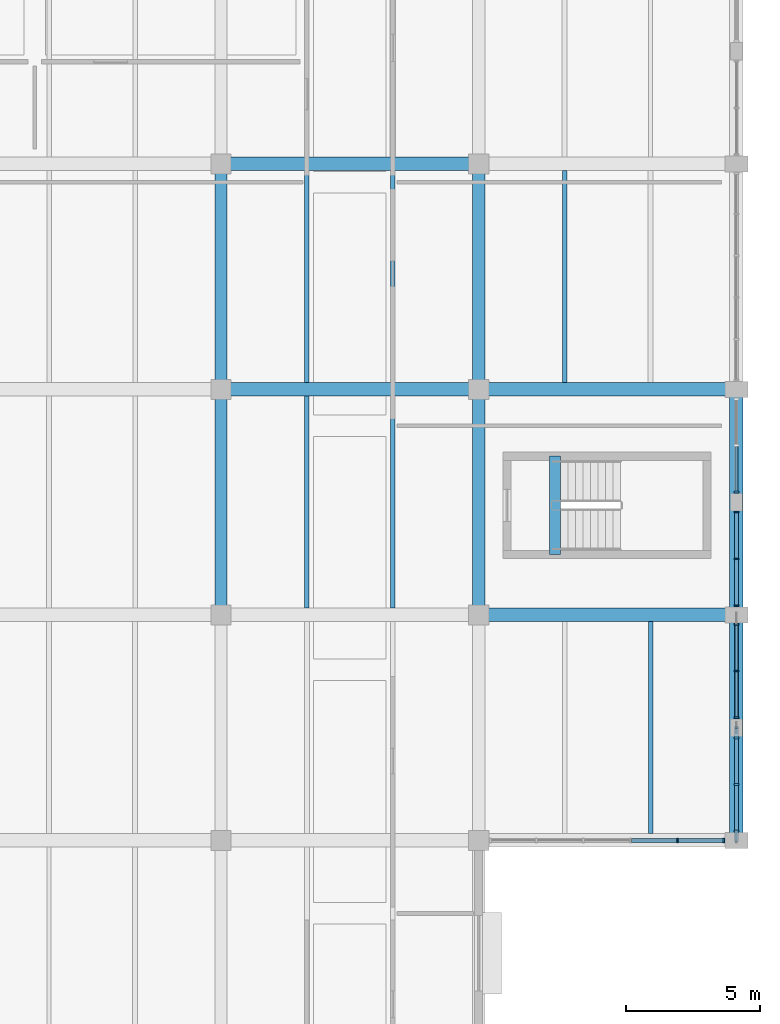
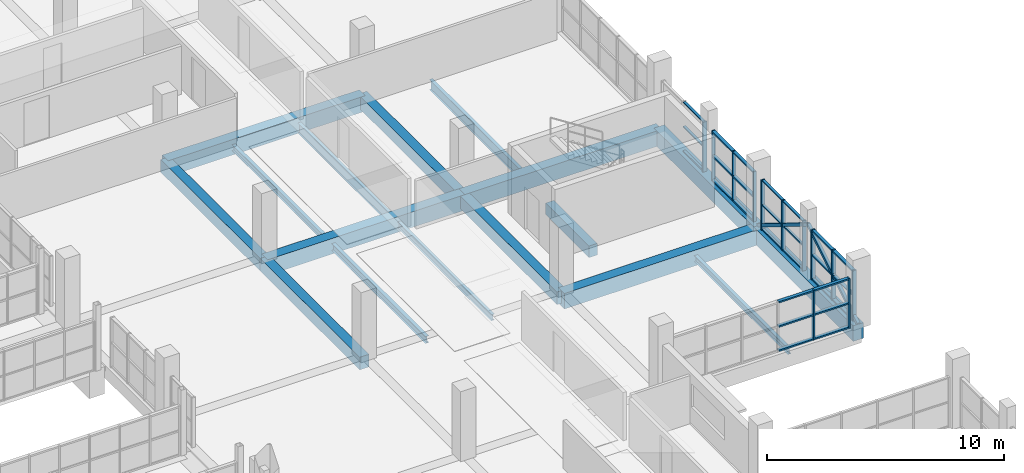
# One storey, part 70 of 147: 41 members, 17 beams, 5 elements without a shape of their own.
"""IFC4 building model written with IfcOpenShell, lengths in metres."""

from ifc_helpers import new_model, si_unit, direction, frame, origin, origin_2d, place, context, subcontext, project, spatial, rectangle, hollow_rectangle, i_section, extrude, material, material_profile, profile_set, type_object, element, aggregate, save


model = new_model("IFC4")

# Units and contexts
model_context = context("Model", 3, precision=1e-05, world=origin(), true_north=direction((0.0, 1.0)))
body_context = subcontext(model_context, "Body", "Model", "MODEL_VIEW")
ifc_project = project(units=[si_unit("LENGTHUNIT", "METRE"), si_unit("AREAUNIT", "SQUARE_METRE"), si_unit("VOLUMEUNIT", "CUBIC_METRE"), si_unit("PLANEANGLEUNIT", "RADIAN"), si_unit("MASSUNIT", "GRAM", prefix="KILO")], contexts=[model_context])

# Site, building, storey
site_placement = place(None, origin())
site = spatial("IfcSite", under=ifc_project, at=site_placement, CompositionType="ELEMENT")
building_placement = place(site_placement, origin())
building = spatial("IfcBuilding", under=site, at=building_placement, Name="Oolite Switchyard Hospital", CompositionType="ELEMENT")
storey_placement = place(building_placement, frame((0.0, 0.0, 9.89990234375)))
storey = spatial("IfcBuildingStorey", under=building, at=storey_placement, Name="L02", CompositionType="ELEMENT", Elevation=9.89990234375)

# Beams
ifc_material_1 = material(Name="Concrete C40/50", Category="concrete")
ifc_material_profile_1 = material_profile(ifc_material_1, rectangle(XDim=0.39990234375, YDim=0.60009765625, at=origin_2d()), Name="RCB400X600")
ifc_profile_set_1 = profile_set([ifc_material_profile_1], Name="Concrete C40/50")
beam_type_1 = type_object("IfcBeamType", Name="BM-RC400X600", PredefinedType="BEAM", material=ifc_profile_set_1)
beam_1_placement = place(storey_placement, frame((204.43994140625, 44.25, -0.2998046875), z_axis=(0.0, 1.0, 0.0), x_axis=(-1.0, 0.0, 0.0)))
element("IfcBeam", 1, at=beam_1_placement, inside=storey, type_object=beam_type_1, Name="L02 ST-06 Stair Throat Trimmer Beam", PredefinedType="BEAM", context=body_context, shape_type="SweptSolid", body=[
    extrude(rectangle(XDim=0.39990234375, YDim=0.60009765625, at=origin_2d()), origin(), (0.0, 0.0, 1.0), 3.659912109375),
])
ifc_material_profile_2 = material_profile(ifc_material_1, rectangle(XDim=0.449951171875, YDim=0.64990234375, at=origin_2d()), Name="RCB450X650")
ifc_profile_set_2 = profile_set([ifc_material_profile_2], Name="Concrete C40/50")
beam_type_2 = type_object("IfcBeamType", Name="BM-RC450X650", PredefinedType="BEAM", material=ifc_profile_set_2)
beam_2_placement = place(storey_placement, frame((192.0, 42.0, -0.324951171875), z_axis=(0.0, 1.0, 0.0), x_axis=(-1.0, 0.0, 0.0)))
element("IfcBeam", 2, at=beam_2_placement, inside=storey, type_object=beam_type_2, Name="L02 Y-Girder 1483", PredefinedType="BEAM", context=body_context, shape_type="SweptSolid", body=[
    extrude(rectangle(XDim=0.449951171875, YDim=0.64990234375, at=origin_2d()), origin(), (0.0, 0.0, 1.0), 8.39990234375),
])
beam_3_placement = place(storey_placement, frame((192.0, 50.39990234375, -0.324951171875), z_axis=(0.0, 1.0, 0.0), x_axis=(-1.0, 0.0, 0.0)))
element("IfcBeam", 3, at=beam_3_placement, inside=storey, type_object=beam_type_2, Name="L02 Y-Girder 1484", PredefinedType="BEAM", context=body_context, shape_type="SweptSolid", body=[
    extrude(rectangle(XDim=0.449951171875, YDim=0.64990234375, at=origin_2d()), origin(), (0.0, 0.0, 1.0), 8.400146484375),
])
beam_4_placement = place(storey_placement, frame((201.60009765625, 42.0, -0.324951171875), z_axis=(0.0, 1.0, 0.0), x_axis=(-1.0, 0.0, 0.0)))
element("IfcBeam", 4, at=beam_4_placement, inside=storey, type_object=beam_type_2, Name="L02 Y-Girder 1495", PredefinedType="BEAM", context=body_context, shape_type="SweptSolid", body=[
    extrude(rectangle(XDim=0.449951171875, YDim=0.64990234375, at=origin_2d()), origin(), (0.0, 0.0, 1.0), 8.39990234375),
])
beam_5_placement = place(storey_placement, frame((201.60009765625, 50.39990234375, -0.324951171875), z_axis=(0.0, 1.0, 0.0), x_axis=(-1.0, 0.0, 0.0)))
element("IfcBeam", 5, at=beam_5_placement, inside=storey, type_object=beam_type_2, Name="L02 Y-Girder 1496", PredefinedType="BEAM", context=body_context, shape_type="SweptSolid", body=[
    extrude(rectangle(XDim=0.449951171875, YDim=0.64990234375, at=origin_2d()), origin(), (0.0, 0.0, 1.0), 8.400146484375),
])
ifc_material_profile_3 = material_profile(ifc_material_1, rectangle(XDim=0.5, YDim=0.800048828125, at=origin_2d()), Name="RCB500X800")
ifc_profile_set_3 = profile_set([ifc_material_profile_3], Name="Concrete C40/50")
beam_type_3 = type_object("IfcBeamType", Name="BM-RC500X800", PredefinedType="BEAM", material=ifc_profile_set_3)
beam_6_placement = place(storey_placement, frame((201.60009765625, 42.0, -0.39990234375), z_axis=(1.0, 0.0, 0.0), x_axis=(0.0, 1.0, 0.0)))
element("IfcBeam", 6, at=beam_6_placement, inside=storey, type_object=beam_type_3, Name="L02 X-Girder 1061", PredefinedType="BEAM", context=body_context, shape_type="SweptSolid", body=[
    extrude(rectangle(XDim=0.5, YDim=0.800048828125, at=origin_2d()), origin(), (0.0, 0.0, 1.0), 9.599853515625),
])
beam_7_placement = place(storey_placement, frame((192.0, 50.39990234375, -0.39990234375), z_axis=(1.0, 0.0, 0.0), x_axis=(0.0, 1.0, 0.0)))
element("IfcBeam", 7, at=beam_7_placement, inside=storey, type_object=beam_type_3, Name="L02 X-Girder 1076", PredefinedType="BEAM", context=body_context, shape_type="SweptSolid", body=[
    extrude(rectangle(XDim=0.5, YDim=0.800048828125, at=origin_2d()), origin(), (0.0, 0.0, 1.0), 9.60009765625),
])
beam_8_placement = place(storey_placement, frame((201.60009765625, 50.39990234375, -0.39990234375), z_axis=(1.0, 0.0, 0.0), x_axis=(0.0, 1.0, 0.0)))
element("IfcBeam", 8, at=beam_8_placement, inside=storey, type_object=beam_type_3, Name="L02 X-Girder 1077", PredefinedType="BEAM", context=body_context, shape_type="SweptSolid", body=[
    extrude(rectangle(XDim=0.5, YDim=0.800048828125, at=origin_2d()), origin(), (0.0, 0.0, 1.0), 9.599853515625),
])
beam_9_placement = place(storey_placement, frame((192.0, 58.800048828125, -0.39990234375), z_axis=(1.0, 0.0, 0.0), x_axis=(0.0, 1.0, 0.0)))
element("IfcBeam", 9, at=beam_9_placement, inside=storey, type_object=beam_type_3, Name="L02 X-Girder 1092", PredefinedType="BEAM", context=body_context, shape_type="SweptSolid", body=[
    extrude(rectangle(XDim=0.5, YDim=0.800048828125, at=origin_2d()), origin(), (0.0, 0.0, 1.0), 9.60009765625),
])
for number, where, z_axis, x_axis, name in (
    (10, (211.199951171875, 33.60009765625, -0.39990234375), (0.0, 1.0, 0.0), (-1.0, 0.0, 0.0), "L02 Y-Girder 1504"),
    (11, (211.199951171875, 42.0, -0.39990234375), (0.0, 1.0, 0.0), (-1.0, 0.0, 0.0), "L02 Y-Girder 1505"),
):
    element("IfcBeam", number, at=place(storey_placement, frame(where, z_axis=z_axis, x_axis=x_axis)), inside=storey, type_object=beam_type_3, Name=name, PredefinedType="BEAM", context=body_context, shape_type="SweptSolid", body=[
        extrude(rectangle(XDim=0.5, YDim=0.800048828125, at=origin_2d()), origin(), (0.0, 0.0, 1.0), 8.39990234375),
    ])
ifc_material_2 = material(Name="Steel ASTM A992 Grade 50", Category="steel")
ifc_material_profile_4 = material_profile(ifc_material_2, i_section(OverallWidth=0.1650390625, OverallDepth=0.31005859375, WebThickness=0.006103515625, FlangeThickness=0.010009765625, at=origin_2d()), Name="W12X26")
ifc_profile_set_4 = profile_set([ifc_material_profile_4], Name="Steel ASTM A992 Grade 50")
beam_type_4 = type_object("IfcBeamType", Name="BM-W12X26", PredefinedType="JOIST", material=ifc_profile_set_4)
beam_10_placement = place(storey_placement, frame((198.39990234375, 42.25, -0.414794921875), z_axis=(0.0, 1.0, 0.0), x_axis=(-1.0, 0.0, 0.0)))
element("IfcBeam", 12, at=beam_10_placement, inside=storey, type_object=beam_type_4, Name="L02 Secondary Steel Joist 1897", PredefinedType="JOIST", context=body_context, shape_type="SweptSolid", body=[
    extrude(i_section(OverallWidth=0.1650390625, OverallDepth=0.31005859375, WebThickness=0.006103515625, FlangeThickness=0.010009765625, at=origin_2d()), origin(), (0.0, 0.0, 1.0), 7.89990234375),
])
beam_11_placement = place(storey_placement, frame((195.199951171875, 50.64990234375, -0.414794921875), z_axis=(0.0, 1.0, 0.0), x_axis=(-1.0, 0.0, 0.0)))
element("IfcBeam", 13, at=beam_11_placement, inside=storey, type_object=beam_type_4, Name="L02 Secondary Steel Joist 1898", PredefinedType="JOIST", context=body_context, shape_type="SweptSolid", body=[
    extrude(i_section(OverallWidth=0.1650390625, OverallDepth=0.31005859375, WebThickness=0.006103515625, FlangeThickness=0.010009765625, at=origin_2d()), origin(), (0.0, 0.0, 1.0), 7.900146484375),
])
beam_12_placement = place(storey_placement, frame((208.0, 33.85009765625, -0.414794921875), z_axis=(0.0, 1.0, 0.0), x_axis=(-1.0, 0.0, 0.0)))
element("IfcBeam", 14, at=beam_12_placement, inside=storey, type_object=beam_type_4, Name="L02 Secondary Steel Joist 1913", PredefinedType="JOIST", context=body_context, shape_type="SweptSolid", body=[
    extrude(i_section(OverallWidth=0.1650390625, OverallDepth=0.31005859375, WebThickness=0.006103515625, FlangeThickness=0.010009765625, at=origin_2d()), origin(), (0.0, 0.0, 1.0), 7.89990234375),
])
ifc_material_profile_5 = material_profile(ifc_material_2, i_section(OverallWidth=0.1708984375, OverallDepth=0.35107421875, WebThickness=0.007080078125, FlangeThickness=0.010009765625, at=origin_2d()), Name="W14X30")
ifc_profile_set_5 = profile_set([ifc_material_profile_5], Name="Steel ASTM A992 Grade 50")
beam_type_5 = type_object("IfcBeamType", Name="BM-W14X30", PredefinedType="JOIST", material=ifc_profile_set_5)
beam_13_placement = place(storey_placement, frame((195.199951171875, 42.25, -0.434814453125), z_axis=(0.0, 1.0, 0.0), x_axis=(-1.0, 0.0, 0.0)))
element("IfcBeam", 15, at=beam_13_placement, inside=storey, type_object=beam_type_5, Name="L02 Secondary Steel Joist 1896", PredefinedType="JOIST", context=body_context, shape_type="SweptSolid", body=[
    extrude(i_section(OverallWidth=0.1708984375, OverallDepth=0.35107421875, WebThickness=0.007080078125, FlangeThickness=0.010009765625, at=origin_2d()), origin(), (0.0, 0.0, 1.0), 7.89990234375),
])
ifc_material_profile_6 = material_profile(ifc_material_2, i_section(OverallWidth=0.166015625, OverallDepth=0.529052734375, WebThickness=0.010009765625, FlangeThickness=0.013916015625, at=origin_2d()), Name="W21X50")
ifc_profile_set_6 = profile_set([ifc_material_profile_6], Name="Steel ASTM A992 Grade 50")
beam_type_6 = type_object("IfcBeamType", Name="BM-W21X50", PredefinedType="JOIST", material=ifc_profile_set_6)
for number, where, z_axis, x_axis, name in (
    (16, (198.39990234375, 50.64990234375, -0.52392578125), (0.0, 1.0, 0.0), (-1.0, 0.0, 0.0), "L02 Secondary Steel Joist 1899"),
    (17, (204.800048828125, 50.64990234375, -0.52392578125), (0.0, 1.0, 0.0), (-1.0, 0.0, 0.0), "L02 Secondary Steel Joist 1914"),
):
    element("IfcBeam", number, at=place(storey_placement, frame(where, z_axis=z_axis, x_axis=x_axis)), inside=storey, type_object=beam_type_6, Name=name, PredefinedType="JOIST", context=body_context, shape_type="SweptSolid", body=[
        extrude(i_section(OverallWidth=0.166015625, OverallDepth=0.529052734375, WebThickness=0.010009765625, FlangeThickness=0.013916015625, at=origin_2d()), origin(), (0.0, 0.0, 1.0), 7.900146484375),
    ])

# Curtain wall, members
ifc_material_3 = material(Name="Thermally broken aluminum frame with laminated impact glazing", Category="aluminium")
curtain_wall_type_1 = type_object("IfcCurtainWallType", Name="CW-UNIT-84X36", PredefinedType="USERDEFINED", material=ifc_material_3)
curtain_wall_1_placement = place(storey_placement, origin())
curtain_wall_1 = element("IfcCurtainWall", 18, at=curtain_wall_1_placement, inside=storey, type_object=curtain_wall_type_1, Name="L02 Unitised Curtain Wall 319", ObjectType="UNITISED", PredefinedType="USERDEFINED")
ifc_material_4 = material(Name="Aluminium 6063-T6", Category="aluminium")
ifc_material_profile_7 = material_profile(ifc_material_4, rectangle(XDim=0.159912109375, YDim=0.06005859375, at=origin_2d()), Name="CWM60X160")
ifc_profile_set_7 = profile_set([ifc_material_profile_7], Name="Aluminium 6063-T6")
member_type_1 = type_object("IfcMemberType", Name="CW-MUL-180", PredefinedType="MULLION", material=ifc_profile_set_7)
member_1_placement = place(storey_placement, frame((211.199951171875, 45.830078125, 0.0), z_axis=(0.0, 0.0, 1.0), x_axis=(1.0, 0.0, 0.0)))
member_1 = element("IfcMember", 19, at=member_1_placement, type_object=member_type_1, Name="CW-08 mullion 1", PredefinedType="MULLION", context=body_context, shape_type="SweptSolid", body=[
    extrude(rectangle(XDim=0.159912109375, YDim=0.06005859375, at=origin_2d()), origin(), (0.0, 0.0, 1.0), 2.570068359375),
])
member_2_placement = place(storey_placement, frame((211.199951171875, 44.08740234375, 0.0), z_axis=(0.0, 0.0, 1.0), x_axis=(1.0, 0.0, 0.0)))
member_2 = element("IfcMember", 20, at=member_2_placement, type_object=member_type_1, Name="CW-08 mullion 2", PredefinedType="MULLION", context=body_context, shape_type="SweptSolid", body=[
    extrude(rectangle(XDim=0.159912109375, YDim=0.06005859375, at=origin_2d()), origin(), (0.0, 0.0, 1.0), 2.570068359375),
])
member_3_placement = place(storey_placement, frame((211.199951171875, 42.344970703125, 0.0), z_axis=(0.0, 0.0, 1.0), x_axis=(1.0, 0.0, 0.0)))
member_3 = element("IfcMember", 21, at=member_3_placement, type_object=member_type_1, Name="CW-08 mullion 3", PredefinedType="MULLION", context=body_context, shape_type="SweptSolid", body=[
    extrude(rectangle(XDim=0.159912109375, YDim=0.06005859375, at=origin_2d()), origin(), (0.0, 0.0, 1.0), 2.570068359375),
])

curtain_wall_type_2 = type_object("IfcCurtainWallType", Name="CW-UNIT-96X36", PredefinedType="USERDEFINED", material=ifc_material_3)
curtain_wall_2_placement = place(storey_placement, origin())
curtain_wall_2 = element("IfcCurtainWall", 22, at=curtain_wall_2_placement, inside=storey, type_object=curtain_wall_type_2, Name="L02 Unitised Curtain Wall 227", ObjectType="UNITISED", PredefinedType="USERDEFINED")
ifc_material_profile_8 = material_profile(ifc_material_4, rectangle(XDim=0.179931640625, YDim=0.070068359375, at=origin_2d()), Name="CWM70X180")
ifc_profile_set_8 = profile_set([ifc_material_profile_8], Name="Aluminium 6063-T6")
member_type_2 = type_object("IfcMemberType", Name="CW-MUL-220", PredefinedType="MULLION", material=ifc_profile_set_8)
member_4_placement = place(storey_placement, frame((210.72509765625, 33.60009765625, 0.0), z_axis=(0.0, 0.0, 1.0), x_axis=(0.0, -1.0, 0.0)))
member_4 = element("IfcMember", 23, at=member_4_placement, type_object=member_type_2, Name="CW-03 mullion 1", PredefinedType="MULLION", context=body_context, shape_type="SweptSolid", body=[
    extrude(rectangle(XDim=0.179931640625, YDim=0.070068359375, at=origin_2d()), origin(), (0.0, 0.0, 1.0), 2.570068359375),
])
member_5_placement = place(storey_placement, frame((209.006103515625, 33.60009765625, 0.0), z_axis=(0.0, 0.0, 1.0), x_axis=(0.0, -1.0, 0.0)))
member_5 = element("IfcMember", 24, at=member_5_placement, type_object=member_type_2, Name="CW-03 mullion 2", PredefinedType="MULLION", context=body_context, shape_type="SweptSolid", body=[
    extrude(rectangle(XDim=0.179931640625, YDim=0.070068359375, at=origin_2d()), origin(), (0.0, 0.0, 1.0), 2.570068359375),
])

curtain_wall_3_placement = place(storey_placement, origin())
curtain_wall_3 = element("IfcCurtainWall", 25, at=curtain_wall_3_placement, inside=storey, type_object=curtain_wall_type_1, Name="L02 Unitised Curtain Wall 320", ObjectType="UNITISED", PredefinedType="USERDEFINED")
member_6_placement = place(storey_placement, frame((211.199951171875, 41.64990234375, 0.0), z_axis=(0.0, 0.0, 1.0), x_axis=(1.0, 0.0, 0.0)))
member_6 = element("IfcMember", 26, at=member_6_placement, type_object=member_type_2, Name="CW-08 mullion 1", PredefinedType="MULLION", context=body_context, shape_type="SweptSolid", body=[
    extrude(rectangle(XDim=0.179931640625, YDim=0.070068359375, at=origin_2d()), origin(), (0.0, 0.0, 1.0), 2.570068359375),
])
member_7_placement = place(storey_placement, frame((211.199951171875, 39.91259765625, 0.0), z_axis=(0.0, 0.0, 1.0), x_axis=(1.0, 0.0, 0.0)))
member_7 = element("IfcMember", 27, at=member_7_placement, type_object=member_type_2, Name="CW-08 mullion 2", PredefinedType="MULLION", context=body_context, shape_type="SweptSolid", body=[
    extrude(rectangle(XDim=0.179931640625, YDim=0.070068359375, at=origin_2d()), origin(), (0.0, 0.0, 1.0), 2.570068359375),
])
member_8_placement = place(storey_placement, frame((211.199951171875, 38.175048828125, 0.0), z_axis=(0.0, 0.0, 1.0), x_axis=(1.0, 0.0, 0.0)))
member_8 = element("IfcMember", 28, at=member_8_placement, type_object=member_type_2, Name="CW-08 mullion 3", PredefinedType="MULLION", context=body_context, shape_type="SweptSolid", body=[
    extrude(rectangle(XDim=0.179931640625, YDim=0.070068359375, at=origin_2d()), origin(), (0.0, 0.0, 1.0), 2.570068359375),
])

# Curtain wall, member
curtain_wall_4_placement = place(storey_placement, origin())
curtain_wall_4 = element("IfcCurtainWall", 29, at=curtain_wall_4_placement, inside=storey, type_object=curtain_wall_type_1, Name="L02 Unitised Curtain Wall 318", ObjectType="UNITISED", PredefinedType="USERDEFINED")
ifc_material_profile_9 = material_profile(ifc_material_4, rectangle(XDim=0.199951171875, YDim=0.074951171875, at=origin_2d()), Name="CWM75X200")
ifc_profile_set_9 = profile_set([ifc_material_profile_9], Name="Aluminium 6063-T6")
member_type_3 = type_object("IfcMemberType", Name="CW-MUL-260", PredefinedType="MULLION", material=ifc_profile_set_9)
member_9_placement = place(storey_placement, frame((211.199951171875, 46.577392578125, 0.0), z_axis=(0.0, 0.0, 1.0), x_axis=(1.0, 0.0, 0.0)))
member_9 = element("IfcMember", 30, at=member_9_placement, type_object=member_type_3, Name="CW-08 mullion 3", PredefinedType="MULLION", context=body_context, shape_type="SweptSolid", body=[
    extrude(rectangle(XDim=0.199951171875, YDim=0.074951171875, at=origin_2d()), origin(), (0.0, 0.0, 1.0), 2.570068359375),
])

# Curtain wall, members
curtain_wall_5_placement = place(storey_placement, origin())
curtain_wall_5 = element("IfcCurtainWall", 31, at=curtain_wall_5_placement, inside=storey, type_object=curtain_wall_type_1, Name="L02 Unitised Curtain Wall 321", ObjectType="UNITISED", PredefinedType="USERDEFINED")
member_10_placement = place(storey_placement, frame((211.199951171875, 37.422607421875, 0.0), z_axis=(0.0, 0.0, 1.0), x_axis=(1.0, 0.0, 0.0)))
member_10 = element("IfcMember", 32, at=member_10_placement, type_object=member_type_3, Name="CW-08 mullion 1", PredefinedType="MULLION", context=body_context, shape_type="SweptSolid", body=[
    extrude(rectangle(XDim=0.199951171875, YDim=0.074951171875, at=origin_2d()), origin(), (0.0, 0.0, 1.0), 2.570068359375),
])
member_11_placement = place(storey_placement, frame((211.199951171875, 35.6875, 0.0), z_axis=(0.0, 0.0, 1.0), x_axis=(1.0, 0.0, 0.0)))
member_11 = element("IfcMember", 33, at=member_11_placement, type_object=member_type_3, Name="CW-08 mullion 2", PredefinedType="MULLION", context=body_context, shape_type="SweptSolid", body=[
    extrude(rectangle(XDim=0.199951171875, YDim=0.074951171875, at=origin_2d()), origin(), (0.0, 0.0, 1.0), 2.570068359375),
])
member_12_placement = place(storey_placement, frame((211.199951171875, 33.952392578125, 0.0), z_axis=(0.0, 0.0, 1.0), x_axis=(1.0, 0.0, 0.0)))
member_12 = element("IfcMember", 34, at=member_12_placement, type_object=member_type_3, Name="CW-08 mullion 3", PredefinedType="MULLION", context=body_context, shape_type="SweptSolid", body=[
    extrude(rectangle(XDim=0.199951171875, YDim=0.074951171875, at=origin_2d()), origin(), (0.0, 0.0, 1.0), 2.570068359375),
])

# Member
ifc_material_profile_10 = material_profile(ifc_material_4, rectangle(XDim=0.1201171875, YDim=0.06005859375, at=origin_2d()), Name="CWT60X120")
ifc_profile_set_10 = profile_set([ifc_material_profile_10], Name="Aluminium 6063-T6")
member_type_4 = type_object("IfcMemberType", Name="CW-TRN-150", PredefinedType="USERDEFINED", material=ifc_profile_set_10)
member_13_placement = place(storey_placement, frame((211.199951171875, 48.27490234375, 0.030029296875), z_axis=(0.0, -1.0, 0.0), x_axis=(1.0, 0.0, 0.0)))
member_13 = element("IfcMember", 35, at=member_13_placement, type_object=member_type_4, Name="CW-08 transom 2.1", ObjectType="TRANSOM", PredefinedType="USERDEFINED", context=body_context, shape_type="SweptSolid", body=[
    extrude(rectangle(XDim=0.1201171875, YDim=0.06005859375, at=origin_2d()), origin(), (0.0, 0.0, 1.0), 1.659912109375),
])

member_14_placement = place(storey_placement, frame((211.199951171875, 48.27490234375, 1.28515625), z_axis=(0.0, -1.0, 0.0), x_axis=(1.0, 0.0, 0.0)))
member_14 = element("IfcMember", 36, at=member_14_placement, type_object=member_type_4, Name="CW-08 transom 2.2", ObjectType="TRANSOM", PredefinedType="USERDEFINED", context=body_context, shape_type="SweptSolid", body=[
    extrude(rectangle(XDim=0.1201171875, YDim=0.06005859375, at=origin_2d()), origin(), (0.0, 0.0, 1.0), 1.659912109375),
])

member_15_placement = place(storey_placement, frame((211.199951171875, 48.27490234375, 2.5400390625), z_axis=(0.0, -1.0, 0.0), x_axis=(1.0, 0.0, 0.0)))
member_15 = element("IfcMember", 37, at=member_15_placement, type_object=member_type_4, Name="CW-08 transom 2.3", ObjectType="TRANSOM", PredefinedType="USERDEFINED", context=body_context, shape_type="SweptSolid", body=[
    extrude(rectangle(XDim=0.1201171875, YDim=0.06005859375, at=origin_2d()), origin(), (0.0, 0.0, 1.0), 1.659912109375),
])

aggregate(curtain_wall_4, [member_9, member_13, member_14, member_15])

member_16_placement = place(storey_placement, frame((211.199951171875, 41.614990234375, 0.030029296875), z_axis=(0.0, -1.0, 0.0), x_axis=(1.0, 0.0, 0.0)))
member_16 = element("IfcMember", 38, at=member_16_placement, type_object=member_type_4, Name="CW-08 transom 1.1", ObjectType="TRANSOM", PredefinedType="USERDEFINED", context=body_context, shape_type="SweptSolid", body=[
    extrude(rectangle(XDim=0.1201171875, YDim=0.06005859375, at=origin_2d()), origin(), (0.0, 0.0, 1.0), 1.66748046875),
])

member_17_placement = place(storey_placement, frame((211.199951171875, 41.614990234375, 1.28515625), z_axis=(0.0, -1.0, 0.0), x_axis=(1.0, 0.0, 0.0)))
member_17 = element("IfcMember", 39, at=member_17_placement, type_object=member_type_4, Name="CW-08 transom 1.2", ObjectType="TRANSOM", PredefinedType="USERDEFINED", context=body_context, shape_type="SweptSolid", body=[
    extrude(rectangle(XDim=0.1201171875, YDim=0.06005859375, at=origin_2d()), origin(), (0.0, 0.0, 1.0), 1.66748046875),
])

member_18_placement = place(storey_placement, frame((211.199951171875, 41.614990234375, 2.5400390625), z_axis=(0.0, -1.0, 0.0), x_axis=(1.0, 0.0, 0.0)))
member_18 = element("IfcMember", 40, at=member_18_placement, type_object=member_type_4, Name="CW-08 transom 1.3", ObjectType="TRANSOM", PredefinedType="USERDEFINED", context=body_context, shape_type="SweptSolid", body=[
    extrude(rectangle(XDim=0.1201171875, YDim=0.06005859375, at=origin_2d()), origin(), (0.0, 0.0, 1.0), 1.66748046875),
])

member_19_placement = place(storey_placement, frame((211.199951171875, 39.87744140625, 0.030029296875), z_axis=(0.0, -1.0, 0.0), x_axis=(1.0, 0.0, 0.0)))
member_19 = element("IfcMember", 41, at=member_19_placement, type_object=member_type_4, Name="CW-08 transom 2.1", ObjectType="TRANSOM", PredefinedType="USERDEFINED", context=body_context, shape_type="SweptSolid", body=[
    extrude(rectangle(XDim=0.1201171875, YDim=0.06005859375, at=origin_2d()), origin(), (0.0, 0.0, 1.0), 1.66748046875),
])

member_20_placement = place(storey_placement, frame((211.199951171875, 39.87744140625, 1.28515625), z_axis=(0.0, -1.0, 0.0), x_axis=(1.0, 0.0, 0.0)))
member_20 = element("IfcMember", 42, at=member_20_placement, type_object=member_type_4, Name="CW-08 transom 2.2", ObjectType="TRANSOM", PredefinedType="USERDEFINED", context=body_context, shape_type="SweptSolid", body=[
    extrude(rectangle(XDim=0.1201171875, YDim=0.06005859375, at=origin_2d()), origin(), (0.0, 0.0, 1.0), 1.66748046875),
])

member_21_placement = place(storey_placement, frame((211.199951171875, 39.87744140625, 2.5400390625), z_axis=(0.0, -1.0, 0.0), x_axis=(1.0, 0.0, 0.0)))
member_21 = element("IfcMember", 43, at=member_21_placement, type_object=member_type_4, Name="CW-08 transom 2.3", ObjectType="TRANSOM", PredefinedType="USERDEFINED", context=body_context, shape_type="SweptSolid", body=[
    extrude(rectangle(XDim=0.1201171875, YDim=0.06005859375, at=origin_2d()), origin(), (0.0, 0.0, 1.0), 1.66748046875),
])

aggregate(curtain_wall_3, [member_6, member_7, member_8, member_16, member_17, member_18, member_19, member_20, member_21])

ifc_material_profile_11 = material_profile(ifc_material_4, rectangle(XDim=0.159912109375, YDim=0.074951171875, at=origin_2d()), Name="CWT75X160")
ifc_profile_set_11 = profile_set([ifc_material_profile_11], Name="Aluminium 6063-T6")
member_type_5 = type_object("IfcMemberType", Name="CW-TRN-180", PredefinedType="USERDEFINED", material=ifc_profile_set_11)
member_22_placement = place(storey_placement, frame((210.68994140625, 33.60009765625, 0.03759765625), z_axis=(-1.0, 0.0, 0.0), x_axis=(0.0, -1.0, 0.0)))
member_22 = element("IfcMember", 44, at=member_22_placement, type_object=member_type_5, Name="CW-03 transom 1.1", ObjectType="TRANSOM", PredefinedType="USERDEFINED", context=body_context, shape_type="SweptSolid", body=[
    extrude(rectangle(XDim=0.159912109375, YDim=0.074951171875, at=origin_2d()), origin(), (0.0, 0.0, 1.0), 1.64892578125),
])

member_23_placement = place(storey_placement, frame((210.68994140625, 33.60009765625, 1.28515625), z_axis=(-1.0, 0.0, 0.0), x_axis=(0.0, -1.0, 0.0)))
member_23 = element("IfcMember", 45, at=member_23_placement, type_object=member_type_5, Name="CW-03 transom 1.2", ObjectType="TRANSOM", PredefinedType="USERDEFINED", context=body_context, shape_type="SweptSolid", body=[
    extrude(rectangle(XDim=0.159912109375, YDim=0.074951171875, at=origin_2d()), origin(), (0.0, 0.0, 1.0), 1.64892578125),
])

member_24_placement = place(storey_placement, frame((210.68994140625, 33.60009765625, 2.53271484375), z_axis=(-1.0, 0.0, 0.0), x_axis=(0.0, -1.0, 0.0)))
member_24 = element("IfcMember", 46, at=member_24_placement, type_object=member_type_5, Name="CW-03 transom 1.3", ObjectType="TRANSOM", PredefinedType="USERDEFINED", context=body_context, shape_type="SweptSolid", body=[
    extrude(rectangle(XDim=0.159912109375, YDim=0.074951171875, at=origin_2d()), origin(), (0.0, 0.0, 1.0), 1.64892578125),
])

member_25_placement = place(storey_placement, frame((208.970947265625, 33.60009765625, 0.03759765625), z_axis=(-1.0, 0.0, 0.0), x_axis=(0.0, -1.0, 0.0)))
member_25 = element("IfcMember", 47, at=member_25_placement, type_object=member_type_5, Name="CW-03 transom 2.1", ObjectType="TRANSOM", PredefinedType="USERDEFINED", context=body_context, shape_type="SweptSolid", body=[
    extrude(rectangle(XDim=0.159912109375, YDim=0.074951171875, at=origin_2d()), origin(), (0.0, 0.0, 1.0), 1.683837890625),
])

member_26_placement = place(storey_placement, frame((208.970947265625, 33.60009765625, 1.28515625), z_axis=(-1.0, 0.0, 0.0), x_axis=(0.0, -1.0, 0.0)))
member_26 = element("IfcMember", 48, at=member_26_placement, type_object=member_type_5, Name="CW-03 transom 2.2", ObjectType="TRANSOM", PredefinedType="USERDEFINED", context=body_context, shape_type="SweptSolid", body=[
    extrude(rectangle(XDim=0.159912109375, YDim=0.074951171875, at=origin_2d()), origin(), (0.0, 0.0, 1.0), 1.683837890625),
])

member_27_placement = place(storey_placement, frame((208.970947265625, 33.60009765625, 2.53271484375), z_axis=(-1.0, 0.0, 0.0), x_axis=(0.0, -1.0, 0.0)))
member_27 = element("IfcMember", 49, at=member_27_placement, type_object=member_type_5, Name="CW-03 transom 2.3", ObjectType="TRANSOM", PredefinedType="USERDEFINED", context=body_context, shape_type="SweptSolid", body=[
    extrude(rectangle(XDim=0.159912109375, YDim=0.074951171875, at=origin_2d()), origin(), (0.0, 0.0, 1.0), 1.683837890625),
])

aggregate(curtain_wall_2, [member_4, member_5, member_22, member_23, member_24, member_25, member_26, member_27])

member_28_placement = place(storey_placement, frame((211.199951171875, 45.800048828125, 0.03759765625), z_axis=(0.0, -1.0, 0.0), x_axis=(1.0, 0.0, 0.0)))
member_28 = element("IfcMember", 50, at=member_28_placement, type_object=member_type_5, Name="CW-08 transom 1.1", ObjectType="TRANSOM", PredefinedType="USERDEFINED", context=body_context, shape_type="SweptSolid", body=[
    extrude(rectangle(XDim=0.159912109375, YDim=0.074951171875, at=origin_2d()), origin(), (0.0, 0.0, 1.0), 1.6826171875),
])

member_29_placement = place(storey_placement, frame((211.199951171875, 45.800048828125, 1.28515625), z_axis=(0.0, -1.0, 0.0), x_axis=(1.0, 0.0, 0.0)))
member_29 = element("IfcMember", 51, at=member_29_placement, type_object=member_type_5, Name="CW-08 transom 1.2", ObjectType="TRANSOM", PredefinedType="USERDEFINED", context=body_context, shape_type="SweptSolid", body=[
    extrude(rectangle(XDim=0.159912109375, YDim=0.074951171875, at=origin_2d()), origin(), (0.0, 0.0, 1.0), 1.6826171875),
])

member_30_placement = place(storey_placement, frame((211.199951171875, 45.800048828125, 2.53271484375), z_axis=(0.0, -1.0, 0.0), x_axis=(1.0, 0.0, 0.0)))
member_30 = element("IfcMember", 52, at=member_30_placement, type_object=member_type_5, Name="CW-08 transom 1.3", ObjectType="TRANSOM", PredefinedType="USERDEFINED", context=body_context, shape_type="SweptSolid", body=[
    extrude(rectangle(XDim=0.159912109375, YDim=0.074951171875, at=origin_2d()), origin(), (0.0, 0.0, 1.0), 1.6826171875),
])

member_31_placement = place(storey_placement, frame((211.199951171875, 44.0576171875, 0.03759765625), z_axis=(0.0, -1.0, 0.0), x_axis=(1.0, 0.0, 0.0)))
member_31 = element("IfcMember", 53, at=member_31_placement, type_object=member_type_5, Name="CW-08 transom 2.1", ObjectType="TRANSOM", PredefinedType="USERDEFINED", context=body_context, shape_type="SweptSolid", body=[
    extrude(rectangle(XDim=0.159912109375, YDim=0.074951171875, at=origin_2d()), origin(), (0.0, 0.0, 1.0), 1.6826171875),
])

member_32_placement = place(storey_placement, frame((211.199951171875, 44.0576171875, 1.28515625), z_axis=(0.0, -1.0, 0.0), x_axis=(1.0, 0.0, 0.0)))
member_32 = element("IfcMember", 54, at=member_32_placement, type_object=member_type_5, Name="CW-08 transom 2.2", ObjectType="TRANSOM", PredefinedType="USERDEFINED", context=body_context, shape_type="SweptSolid", body=[
    extrude(rectangle(XDim=0.159912109375, YDim=0.074951171875, at=origin_2d()), origin(), (0.0, 0.0, 1.0), 1.6826171875),
])

member_33_placement = place(storey_placement, frame((211.199951171875, 44.0576171875, 2.53271484375), z_axis=(0.0, -1.0, 0.0), x_axis=(1.0, 0.0, 0.0)))
member_33 = element("IfcMember", 55, at=member_33_placement, type_object=member_type_5, Name="CW-08 transom 2.3", ObjectType="TRANSOM", PredefinedType="USERDEFINED", context=body_context, shape_type="SweptSolid", body=[
    extrude(rectangle(XDim=0.159912109375, YDim=0.074951171875, at=origin_2d()), origin(), (0.0, 0.0, 1.0), 1.6826171875),
])

aggregate(curtain_wall_1, [member_1, member_2, member_3, member_28, member_29, member_30, member_31, member_32, member_33])

member_34_placement = place(storey_placement, frame((211.199951171875, 37.385009765625, 0.03759765625), z_axis=(0.0, -1.0, 0.0), x_axis=(1.0, 0.0, 0.0)))
member_34 = element("IfcMember", 56, at=member_34_placement, type_object=member_type_5, Name="CW-08 transom 1.1", ObjectType="TRANSOM", PredefinedType="USERDEFINED", context=body_context, shape_type="SweptSolid", body=[
    extrude(rectangle(XDim=0.159912109375, YDim=0.074951171875, at=origin_2d()), origin(), (0.0, 0.0, 1.0), 1.659912109375),
])

member_35_placement = place(storey_placement, frame((211.199951171875, 37.385009765625, 1.28515625), z_axis=(0.0, -1.0, 0.0), x_axis=(1.0, 0.0, 0.0)))
member_35 = element("IfcMember", 57, at=member_35_placement, type_object=member_type_5, Name="CW-08 transom 1.2", ObjectType="TRANSOM", PredefinedType="USERDEFINED", context=body_context, shape_type="SweptSolid", body=[
    extrude(rectangle(XDim=0.159912109375, YDim=0.074951171875, at=origin_2d()), origin(), (0.0, 0.0, 1.0), 1.659912109375),
])

member_36_placement = place(storey_placement, frame((211.199951171875, 37.385009765625, 2.53271484375), z_axis=(0.0, -1.0, 0.0), x_axis=(1.0, 0.0, 0.0)))
member_36 = element("IfcMember", 58, at=member_36_placement, type_object=member_type_5, Name="CW-08 transom 1.3", ObjectType="TRANSOM", PredefinedType="USERDEFINED", context=body_context, shape_type="SweptSolid", body=[
    extrude(rectangle(XDim=0.159912109375, YDim=0.074951171875, at=origin_2d()), origin(), (0.0, 0.0, 1.0), 1.659912109375),
])

member_37_placement = place(storey_placement, frame((211.199951171875, 35.64990234375, 0.03759765625), z_axis=(0.0, -1.0, 0.0), x_axis=(1.0, 0.0, 0.0)))
member_37 = element("IfcMember", 59, at=member_37_placement, type_object=member_type_5, Name="CW-08 transom 2.1", ObjectType="TRANSOM", PredefinedType="USERDEFINED", context=body_context, shape_type="SweptSolid", body=[
    extrude(rectangle(XDim=0.159912109375, YDim=0.074951171875, at=origin_2d()), origin(), (0.0, 0.0, 1.0), 1.659912109375),
])

member_38_placement = place(storey_placement, frame((211.199951171875, 35.64990234375, 1.28515625), z_axis=(0.0, -1.0, 0.0), x_axis=(1.0, 0.0, 0.0)))
member_38 = element("IfcMember", 60, at=member_38_placement, type_object=member_type_5, Name="CW-08 transom 2.2", ObjectType="TRANSOM", PredefinedType="USERDEFINED", context=body_context, shape_type="SweptSolid", body=[
    extrude(rectangle(XDim=0.159912109375, YDim=0.074951171875, at=origin_2d()), origin(), (0.0, 0.0, 1.0), 1.659912109375),
])

member_39_placement = place(storey_placement, frame((211.199951171875, 35.64990234375, 2.53271484375), z_axis=(0.0, -1.0, 0.0), x_axis=(1.0, 0.0, 0.0)))
member_39 = element("IfcMember", 61, at=member_39_placement, type_object=member_type_5, Name="CW-08 transom 2.3", ObjectType="TRANSOM", PredefinedType="USERDEFINED", context=body_context, shape_type="SweptSolid", body=[
    extrude(rectangle(XDim=0.159912109375, YDim=0.074951171875, at=origin_2d()), origin(), (0.0, 0.0, 1.0), 1.659912109375),
])

aggregate(curtain_wall_5, [member_10, member_11, member_12, member_34, member_35, member_36, member_37, member_38, member_39])

# Members
ifc_material_5 = material(Name="Steel ASTM A500 Grade C", Category="steel")
ifc_material_profile_12 = material_profile(ifc_material_5, hollow_rectangle(XDim=0.152099609375, YDim=0.152099609375, WallThickness=0.010009765625, at=origin_2d()), Name="HSS152X152X10")
ifc_profile_set_12 = profile_set([ifc_material_profile_12], Name="Steel ASTM A500 Grade C")
member_type_6 = type_object("IfcMemberType", Name="MEM-BR-HSS152", PredefinedType="BRACE", material=ifc_profile_set_12)
for number, where, z_axis, x_axis, name in (
    (62, (211.199951171875, 33.60009765625, 0.02001953125), (0.0, 0.85162432047, 0.524152665531), (-1.0, 0.0, 0.0), "L02 Chevron Brace 75"),
    (63, (211.199951171875, 42.0, 0.02001953125), (0.0, -0.85162432047, 0.524152665531), (1.0, 0.0, 0.0), "L02 Chevron Brace 76"),
):
    element("IfcMember", number, at=place(storey_placement, frame(where, z_axis=z_axis, x_axis=x_axis)), inside=storey, type_object=member_type_6, Name=name, PredefinedType="BRACE", context=body_context, shape_type="SweptSolid", body=[
        extrude(hollow_rectangle(XDim=0.152099609375, YDim=0.152099609375, WallThickness=0.010009765625, at=origin_2d()), origin(), (0.0, 0.0, 1.0), 4.931640625),
    ])

save(model, "model.ifc")
